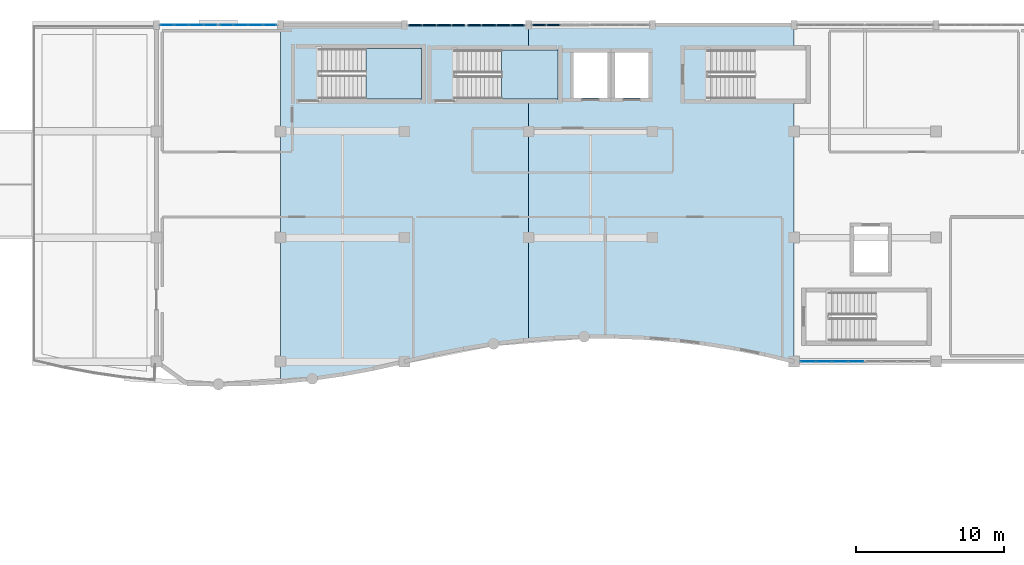
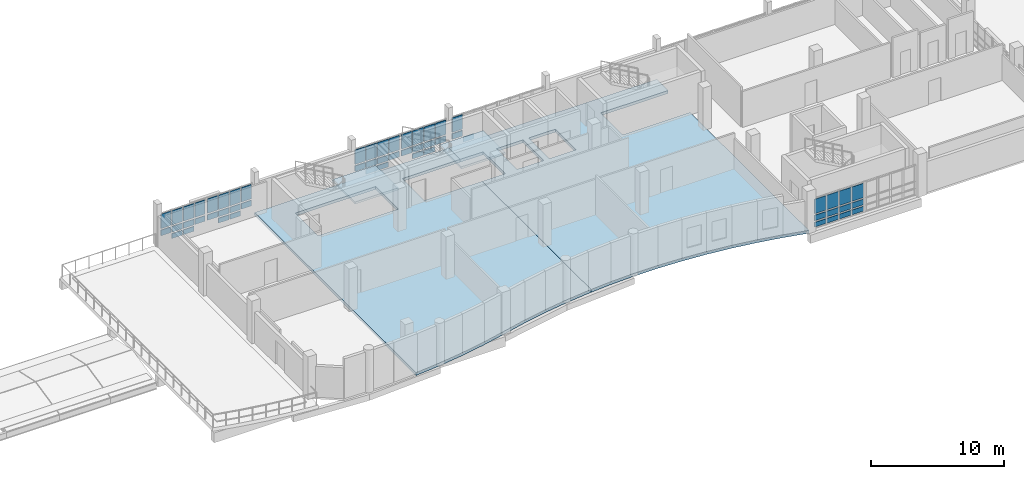
# One storey, part 164 of 188: 55 plates, 4 slabs, 8 elements without a shape of their own.
"""IFC4 building model written with IfcOpenShell, lengths in metres."""

from ifc_helpers import new_model, si_unit, direction, frame, origin, origin_2d, place, context, subcontext, project, spatial, polyline, rectangle, outline, extrude, material, layer, layer_set, type_object, element, aggregate, save


model = new_model("IFC4")

# Units and contexts
model_context = context("Model", 3, precision=1e-05, world=origin(), true_north=direction((0.0, 1.0)))
body_context = subcontext(model_context, "Body", "Model", "MODEL_VIEW")
ifc_project = project(units=[si_unit("LENGTHUNIT", "METRE"), si_unit("AREAUNIT", "SQUARE_METRE"), si_unit("VOLUMEUNIT", "CUBIC_METRE"), si_unit("PLANEANGLEUNIT", "RADIAN"), si_unit("MASSUNIT", "GRAM", prefix="KILO")], contexts=[model_context])

# Site, building, storey
site_placement = place(None, origin())
site = spatial("IfcSite", under=ifc_project, at=site_placement, CompositionType="ELEMENT")
building_placement = place(site_placement, origin())
building = spatial("IfcBuilding", under=site, at=building_placement, Name="Kisaragi Civic Commons", CompositionType="ELEMENT")
storey_placement = place(building_placement, frame((0.0, 0.0, 9.60009765625)))
storey = spatial("IfcBuildingStorey", under=building, at=storey_placement, Name="L02", CompositionType="ELEMENT", Elevation=9.60009765625)

# Curtain wall, plates
ifc_material_1 = material(Name="Thermally broken anodized aluminium and low-E double glazing", Category="aluminium")
ifc_layer_1 = layer(ifc_material_1, 0.179931640625, Name="Thermally broken anodized aluminium and low-E double glazing", Category="aluminium")
ifc_layer_set_1 = layer_set([ifc_layer_1], Name="Thermally broken anodized aluminium and low-E double glazing")
curtain_wall_type = type_object("IfcCurtainWallType", Name="CW-01", PredefinedType="NOTDEFINED", material=ifc_layer_set_1)
curtain_wall_1_placement = place(storey_placement, origin())
curtain_wall_1 = element("IfcCurtainWall", 1, at=curtain_wall_1_placement, inside=storey, type_object=curtain_wall_type, Name="L02 curtain wall CW-01 CW-V4-L02-079", PredefinedType="NOTDEFINED")
ifc_layer_2 = layer(ifc_material_1, 0.055908203125, Name="Thermally broken anodized aluminium and low-E double glazing", Category="aluminium")
ifc_layer_set_2 = layer_set([ifc_layer_2], Name="Thermally broken anodized aluminium and low-E double glazing")
plate_type_1 = type_object("IfcPlateType", Name="CWP-06", PredefinedType="CURTAIN_PANEL", material=ifc_layer_set_2)
plate_1_placement = place(storey_placement, frame((81.124267578125, 118.800048828125, 0.7197265625), z_axis=(0.0, 0.0, 1.0), x_axis=(1.0, 0.0, 0.0)))
plate_1 = element("IfcPlate", 2, at=plate_1_placement, type_object=plate_type_1, Name="CW-01 panel 1.2", PredefinedType="CURTAIN_PANEL", context=body_context, shape_type="SweptSolid", body=[
    extrude(rectangle(XDim=0.888671875, YDim=0.055908203125, at=origin_2d()), origin(), (0.0, 0.0, 1.0), 0.510009765625),
])
plate_2_placement = place(storey_placement, frame((81.124267578125, 118.800048828125, 1.36962890625), z_axis=(0.0, 0.0, 1.0), x_axis=(1.0, 0.0, 0.0)))
plate_2 = element("IfcPlate", 3, at=plate_2_placement, type_object=plate_type_1, Name="CW-01 panel 1.3", PredefinedType="CURTAIN_PANEL", context=body_context, shape_type="SweptSolid", body=[
    extrude(rectangle(XDim=0.888671875, YDim=0.055908203125, at=origin_2d()), origin(), (0.0, 0.0, 1.0), 1.320068359375),
])
plate_3_placement = place(storey_placement, frame((82.094482421875, 118.800048828125, 0.139892578125), z_axis=(0.0, 0.0, 1.0), x_axis=(1.0, 0.0, 0.0)))
plate_3 = element("IfcPlate", 4, at=plate_3_placement, type_object=plate_type_1, Name="CW-01 panel 2.1", PredefinedType="CURTAIN_PANEL", context=body_context, shape_type="SweptSolid", body=[
    extrude(rectangle(XDim=0.921142578125, YDim=0.055908203125, at=origin_2d()), origin(), (0.0, 0.0, 1.0), 0.43994140625),
])
plate_4_placement = place(storey_placement, frame((82.094482421875, 118.800048828125, 0.7197265625), z_axis=(0.0, 0.0, 1.0), x_axis=(1.0, 0.0, 0.0)))
plate_4 = element("IfcPlate", 5, at=plate_4_placement, type_object=plate_type_1, Name="CW-01 panel 2.2", PredefinedType="CURTAIN_PANEL", context=body_context, shape_type="SweptSolid", body=[
    extrude(rectangle(XDim=0.921142578125, YDim=0.055908203125, at=origin_2d()), origin(), (0.0, 0.0, 1.0), 0.510009765625),
])
plate_5_placement = place(storey_placement, frame((82.094482421875, 118.800048828125, 1.36962890625), z_axis=(0.0, 0.0, 1.0), x_axis=(1.0, 0.0, 0.0)))
plate_5 = element("IfcPlate", 6, at=plate_5_placement, type_object=plate_type_1, Name="CW-01 panel 2.3", PredefinedType="CURTAIN_PANEL", context=body_context, shape_type="SweptSolid", body=[
    extrude(rectangle(XDim=0.921142578125, YDim=0.055908203125, at=origin_2d()), origin(), (0.0, 0.0, 1.0), 1.320068359375),
])
plate_6_placement = place(storey_placement, frame((83.08056640625, 118.800048828125, 0.139892578125), z_axis=(0.0, 0.0, 1.0), x_axis=(1.0, 0.0, 0.0)))
plate_6 = element("IfcPlate", 7, at=plate_6_placement, type_object=plate_type_1, Name="CW-01 panel 3.1", PredefinedType="CURTAIN_PANEL", context=body_context, shape_type="SweptSolid", body=[
    extrude(rectangle(XDim=0.921142578125, YDim=0.055908203125, at=origin_2d()), origin(), (0.0, 0.0, 1.0), 0.43994140625),
])
plate_7_placement = place(storey_placement, frame((83.08056640625, 118.800048828125, 0.7197265625), z_axis=(0.0, 0.0, 1.0), x_axis=(1.0, 0.0, 0.0)))
plate_7 = element("IfcPlate", 8, at=plate_7_placement, type_object=plate_type_1, Name="CW-01 panel 3.2", PredefinedType="CURTAIN_PANEL", context=body_context, shape_type="SweptSolid", body=[
    extrude(rectangle(XDim=0.921142578125, YDim=0.055908203125, at=origin_2d()), origin(), (0.0, 0.0, 1.0), 0.510009765625),
])
plate_8_placement = place(storey_placement, frame((83.08056640625, 118.800048828125, 1.36962890625), z_axis=(0.0, 0.0, 1.0), x_axis=(1.0, 0.0, 0.0)))
plate_8 = element("IfcPlate", 9, at=plate_8_placement, type_object=plate_type_1, Name="CW-01 panel 3.3", PredefinedType="CURTAIN_PANEL", context=body_context, shape_type="SweptSolid", body=[
    extrude(rectangle(XDim=0.921142578125, YDim=0.055908203125, at=origin_2d()), origin(), (0.0, 0.0, 1.0), 1.320068359375),
])
plate_9_placement = place(storey_placement, frame((84.050537109375, 118.800048828125, 0.7197265625), z_axis=(0.0, 0.0, 1.0), x_axis=(1.0, 0.0, 0.0)))
plate_9 = element("IfcPlate", 10, at=plate_9_placement, type_object=plate_type_1, Name="CW-01 panel 4.2", PredefinedType="CURTAIN_PANEL", context=body_context, shape_type="SweptSolid", body=[
    extrude(rectangle(XDim=0.888671875, YDim=0.055908203125, at=origin_2d()), origin(), (0.0, 0.0, 1.0), 0.510009765625),
])
plate_10_placement = place(storey_placement, frame((84.050537109375, 118.800048828125, 1.36962890625), z_axis=(0.0, 0.0, 1.0), x_axis=(1.0, 0.0, 0.0)))
plate_10 = element("IfcPlate", 11, at=plate_10_placement, type_object=plate_type_1, Name="CW-01 panel 4.3", PredefinedType="CURTAIN_PANEL", context=body_context, shape_type="SweptSolid", body=[
    extrude(rectangle(XDim=0.888671875, YDim=0.055908203125, at=origin_2d()), origin(), (0.0, 0.0, 1.0), 1.320068359375),
])
aggregate(curtain_wall_1, [plate_1, plate_2, plate_3, plate_4, plate_5, plate_6, plate_7, plate_8, plate_9, plate_10])

curtain_wall_2_placement = place(storey_placement, origin())
curtain_wall_2 = element("IfcCurtainWall", 12, at=curtain_wall_2_placement, inside=storey, type_object=curtain_wall_type, Name="L02 curtain wall CW-01 CW-V4-L02-094", PredefinedType="NOTDEFINED")
plate_11_placement = place(storey_placement, frame((127.797607421875, 96.0, 0.139892578125), z_axis=(0.0, 0.0, 1.0), x_axis=(-1.0, 0.0, 0.0)))
plate_11 = element("IfcPlate", 13, at=plate_11_placement, type_object=plate_type_1, Name="CW-01 panel 1.1", PredefinedType="CURTAIN_PANEL", context=body_context, shape_type="SweptSolid", body=[
    extrude(rectangle(XDim=0.9951171875, YDim=0.055908203125, at=origin_2d()), origin(), (0.0, 0.0, 1.0), 0.43994140625),
])
plate_12_placement = place(storey_placement, frame((127.797607421875, 96.0, 0.7197265625), z_axis=(0.0, 0.0, 1.0), x_axis=(-1.0, 0.0, 0.0)))
plate_12 = element("IfcPlate", 14, at=plate_12_placement, type_object=plate_type_1, Name="CW-01 panel 1.2", PredefinedType="CURTAIN_PANEL", context=body_context, shape_type="SweptSolid", body=[
    extrude(rectangle(XDim=0.9951171875, YDim=0.055908203125, at=origin_2d()), origin(), (0.0, 0.0, 1.0), 0.510009765625),
])
plate_13_placement = place(storey_placement, frame((127.797607421875, 96.0, 1.36962890625), z_axis=(0.0, 0.0, 1.0), x_axis=(-1.0, 0.0, 0.0)))
plate_13 = element("IfcPlate", 15, at=plate_13_placement, type_object=plate_type_1, Name="CW-01 panel 1.3", PredefinedType="CURTAIN_PANEL", context=body_context, shape_type="SweptSolid", body=[
    extrude(rectangle(XDim=0.9951171875, YDim=0.055908203125, at=origin_2d()), origin(), (0.0, 0.0, 1.0), 1.320068359375),
])
plate_14_placement = place(storey_placement, frame((126.72119140625, 96.0, 0.139892578125), z_axis=(0.0, 0.0, 1.0), x_axis=(-1.0, 0.0, 0.0)))
plate_14 = element("IfcPlate", 16, at=plate_14_placement, type_object=plate_type_1, Name="CW-01 panel 2.1", PredefinedType="CURTAIN_PANEL", context=body_context, shape_type="SweptSolid", body=[
    extrude(rectangle(XDim=1.027587890625, YDim=0.055908203125, at=origin_2d()), origin(), (0.0, 0.0, 1.0), 0.43994140625),
])
plate_15_placement = place(storey_placement, frame((126.72119140625, 96.0, 0.7197265625), z_axis=(0.0, 0.0, 1.0), x_axis=(-1.0, 0.0, 0.0)))
plate_15 = element("IfcPlate", 17, at=plate_15_placement, type_object=plate_type_1, Name="CW-01 panel 2.2", PredefinedType="CURTAIN_PANEL", context=body_context, shape_type="SweptSolid", body=[
    extrude(rectangle(XDim=1.027587890625, YDim=0.055908203125, at=origin_2d()), origin(), (0.0, 0.0, 1.0), 0.510009765625),
])
plate_16_placement = place(storey_placement, frame((126.72119140625, 96.0, 1.36962890625), z_axis=(0.0, 0.0, 1.0), x_axis=(-1.0, 0.0, 0.0)))
plate_16 = element("IfcPlate", 18, at=plate_16_placement, type_object=plate_type_1, Name="CW-01 panel 2.3", PredefinedType="CURTAIN_PANEL", context=body_context, shape_type="SweptSolid", body=[
    extrude(rectangle(XDim=1.027587890625, YDim=0.055908203125, at=origin_2d()), origin(), (0.0, 0.0, 1.0), 1.320068359375),
])
plate_17_placement = place(storey_placement, frame((125.628662109375, 96.0, 0.139892578125), z_axis=(0.0, 0.0, 1.0), x_axis=(-1.0, 0.0, 0.0)))
plate_17 = element("IfcPlate", 19, at=plate_17_placement, type_object=plate_type_1, Name="CW-01 panel 3.1", PredefinedType="CURTAIN_PANEL", context=body_context, shape_type="SweptSolid", body=[
    extrude(rectangle(XDim=1.027587890625, YDim=0.055908203125, at=origin_2d()), origin(), (0.0, 0.0, 1.0), 0.43994140625),
])
plate_18_placement = place(storey_placement, frame((125.628662109375, 96.0, 0.7197265625), z_axis=(0.0, 0.0, 1.0), x_axis=(-1.0, 0.0, 0.0)))
plate_18 = element("IfcPlate", 20, at=plate_18_placement, type_object=plate_type_1, Name="CW-01 panel 3.2", PredefinedType="CURTAIN_PANEL", context=body_context, shape_type="SweptSolid", body=[
    extrude(rectangle(XDim=1.027587890625, YDim=0.055908203125, at=origin_2d()), origin(), (0.0, 0.0, 1.0), 0.510009765625),
])
plate_19_placement = place(storey_placement, frame((125.628662109375, 96.0, 1.36962890625), z_axis=(0.0, 0.0, 1.0), x_axis=(-1.0, 0.0, 0.0)))
plate_19 = element("IfcPlate", 21, at=plate_19_placement, type_object=plate_type_1, Name="CW-01 panel 3.3", PredefinedType="CURTAIN_PANEL", context=body_context, shape_type="SweptSolid", body=[
    extrude(rectangle(XDim=1.027587890625, YDim=0.055908203125, at=origin_2d()), origin(), (0.0, 0.0, 1.0), 1.320068359375),
])
plate_20_placement = place(storey_placement, frame((124.552490234375, 96.0, 0.139892578125), z_axis=(0.0, 0.0, 1.0), x_axis=(-1.0, 0.0, 0.0)))
plate_20 = element("IfcPlate", 22, at=plate_20_placement, type_object=plate_type_1, Name="CW-01 panel 4.1", PredefinedType="CURTAIN_PANEL", context=body_context, shape_type="SweptSolid", body=[
    extrude(rectangle(XDim=0.9951171875, YDim=0.055908203125, at=origin_2d()), origin(), (0.0, 0.0, 1.0), 0.43994140625),
])
plate_21_placement = place(storey_placement, frame((124.552490234375, 96.0, 0.7197265625), z_axis=(0.0, 0.0, 1.0), x_axis=(-1.0, 0.0, 0.0)))
plate_21 = element("IfcPlate", 23, at=plate_21_placement, type_object=plate_type_1, Name="CW-01 panel 4.2", PredefinedType="CURTAIN_PANEL", context=body_context, shape_type="SweptSolid", body=[
    extrude(rectangle(XDim=0.9951171875, YDim=0.055908203125, at=origin_2d()), origin(), (0.0, 0.0, 1.0), 0.510009765625),
])
plate_22_placement = place(storey_placement, frame((124.552490234375, 96.0, 1.36962890625), z_axis=(0.0, 0.0, 1.0), x_axis=(-1.0, 0.0, 0.0)))
plate_22 = element("IfcPlate", 24, at=plate_22_placement, type_object=plate_type_1, Name="CW-01 panel 4.3", PredefinedType="CURTAIN_PANEL", context=body_context, shape_type="SweptSolid", body=[
    extrude(rectangle(XDim=0.9951171875, YDim=0.055908203125, at=origin_2d()), origin(), (0.0, 0.0, 1.0), 1.320068359375),
])
aggregate(curtain_wall_2, [plate_11, plate_12, plate_13, plate_14, plate_15, plate_16, plate_17, plate_18, plate_19, plate_20, plate_21, plate_22])

curtain_wall_3_placement = place(storey_placement, origin())
curtain_wall_3 = element("IfcCurtainWall", 25, at=curtain_wall_3_placement, inside=storey, type_object=curtain_wall_type, Name="L02 curtain wall CW-01 CW-V4-L02-080", PredefinedType="NOTDEFINED")
ifc_layer_3 = layer(ifc_material_1, 0.06005859375, Name="Thermally broken anodized aluminium and low-E double glazing", Category="aluminium")
ifc_layer_set_3 = layer_set([ifc_layer_3], Name="Thermally broken anodized aluminium and low-E double glazing")
plate_type_2 = type_object("IfcPlateType", Name="CWP-07", PredefinedType="CURTAIN_PANEL", material=ifc_layer_set_3)
plate_23_placement = place(storey_placement, frame((85.1494140625, 118.800048828125, 0.7197265625), z_axis=(0.0, 0.0, 1.0), x_axis=(1.0, 0.0, 0.0)))
plate_23 = element("IfcPlate", 26, at=plate_23_placement, type_object=plate_type_2, Name="CW-01 panel 1.2", PredefinedType="CURTAIN_PANEL", context=body_context, shape_type="SweptSolid", body=[
    extrude(rectangle(XDim=0.888671875, YDim=0.06005859375, at=origin_2d()), origin(), (0.0, 0.0, 1.0), 0.510009765625),
])
plate_24_placement = place(storey_placement, frame((85.1494140625, 118.800048828125, 1.36962890625), z_axis=(0.0, 0.0, 1.0), x_axis=(1.0, 0.0, 0.0)))
plate_24 = element("IfcPlate", 27, at=plate_24_placement, type_object=plate_type_2, Name="CW-01 panel 1.3", PredefinedType="CURTAIN_PANEL", context=body_context, shape_type="SweptSolid", body=[
    extrude(rectangle(XDim=0.888671875, YDim=0.06005859375, at=origin_2d()), origin(), (0.0, 0.0, 1.0), 1.320068359375),
])
plate_25_placement = place(storey_placement, frame((86.119384765625, 118.800048828125, 0.139892578125), z_axis=(0.0, 0.0, 1.0), x_axis=(1.0, 0.0, 0.0)))
plate_25 = element("IfcPlate", 28, at=plate_25_placement, type_object=plate_type_2, Name="CW-01 panel 2.1", PredefinedType="CURTAIN_PANEL", context=body_context, shape_type="SweptSolid", body=[
    extrude(rectangle(XDim=0.921142578125, YDim=0.06005859375, at=origin_2d()), origin(), (0.0, 0.0, 1.0), 0.43994140625),
])
plate_26_placement = place(storey_placement, frame((86.119384765625, 118.800048828125, 0.7197265625), z_axis=(0.0, 0.0, 1.0), x_axis=(1.0, 0.0, 0.0)))
plate_26 = element("IfcPlate", 29, at=plate_26_placement, type_object=plate_type_2, Name="CW-01 panel 2.2", PredefinedType="CURTAIN_PANEL", context=body_context, shape_type="SweptSolid", body=[
    extrude(rectangle(XDim=0.921142578125, YDim=0.06005859375, at=origin_2d()), origin(), (0.0, 0.0, 1.0), 0.510009765625),
])
plate_27_placement = place(storey_placement, frame((86.119384765625, 118.800048828125, 1.36962890625), z_axis=(0.0, 0.0, 1.0), x_axis=(1.0, 0.0, 0.0)))
plate_27 = element("IfcPlate", 30, at=plate_27_placement, type_object=plate_type_2, Name="CW-01 panel 2.3", PredefinedType="CURTAIN_PANEL", context=body_context, shape_type="SweptSolid", body=[
    extrude(rectangle(XDim=0.921142578125, YDim=0.06005859375, at=origin_2d()), origin(), (0.0, 0.0, 1.0), 1.320068359375),
])
plate_28_placement = place(storey_placement, frame((87.105712890625, 118.800048828125, 0.139892578125), z_axis=(0.0, 0.0, 1.0), x_axis=(1.0, 0.0, 0.0)))
plate_28 = element("IfcPlate", 31, at=plate_28_placement, type_object=plate_type_2, Name="CW-01 panel 3.1", PredefinedType="CURTAIN_PANEL", context=body_context, shape_type="SweptSolid", body=[
    extrude(rectangle(XDim=0.921142578125, YDim=0.06005859375, at=origin_2d()), origin(), (0.0, 0.0, 1.0), 0.43994140625),
])
plate_29_placement = place(storey_placement, frame((87.105712890625, 118.800048828125, 0.7197265625), z_axis=(0.0, 0.0, 1.0), x_axis=(1.0, 0.0, 0.0)))
plate_29 = element("IfcPlate", 32, at=plate_29_placement, type_object=plate_type_2, Name="CW-01 panel 3.2", PredefinedType="CURTAIN_PANEL", context=body_context, shape_type="SweptSolid", body=[
    extrude(rectangle(XDim=0.921142578125, YDim=0.06005859375, at=origin_2d()), origin(), (0.0, 0.0, 1.0), 0.510009765625),
])
plate_30_placement = place(storey_placement, frame((87.105712890625, 118.800048828125, 1.36962890625), z_axis=(0.0, 0.0, 1.0), x_axis=(1.0, 0.0, 0.0)))
plate_30 = element("IfcPlate", 33, at=plate_30_placement, type_object=plate_type_2, Name="CW-01 panel 3.3", PredefinedType="CURTAIN_PANEL", context=body_context, shape_type="SweptSolid", body=[
    extrude(rectangle(XDim=0.921142578125, YDim=0.06005859375, at=origin_2d()), origin(), (0.0, 0.0, 1.0), 1.320068359375),
])
plate_31_placement = place(storey_placement, frame((88.07568359375, 118.800048828125, 0.7197265625), z_axis=(0.0, 0.0, 1.0), x_axis=(1.0, 0.0, 0.0)))
plate_31 = element("IfcPlate", 34, at=plate_31_placement, type_object=plate_type_2, Name="CW-01 panel 4.2", PredefinedType="CURTAIN_PANEL", context=body_context, shape_type="SweptSolid", body=[
    extrude(rectangle(XDim=0.888671875, YDim=0.06005859375, at=origin_2d()), origin(), (0.0, 0.0, 1.0), 0.510009765625),
])
plate_32_placement = place(storey_placement, frame((88.07568359375, 118.800048828125, 1.36962890625), z_axis=(0.0, 0.0, 1.0), x_axis=(1.0, 0.0, 0.0)))
plate_32 = element("IfcPlate", 35, at=plate_32_placement, type_object=plate_type_2, Name="CW-01 panel 4.3", PredefinedType="CURTAIN_PANEL", context=body_context, shape_type="SweptSolid", body=[
    extrude(rectangle(XDim=0.888671875, YDim=0.06005859375, at=origin_2d()), origin(), (0.0, 0.0, 1.0), 1.320068359375),
])
aggregate(curtain_wall_3, [plate_23, plate_24, plate_25, plate_26, plate_27, plate_28, plate_29, plate_30, plate_31, plate_32])

curtain_wall_4_placement = place(storey_placement, origin())
curtain_wall_4 = element("IfcCurtainWall", 36, at=curtain_wall_4_placement, inside=storey, type_object=curtain_wall_type, Name="L02 curtain wall CW-01 CW-V4-L02-081", PredefinedType="NOTDEFINED")
ifc_layer_4 = layer(ifc_material_1, 0.073974609375, Name="Thermally broken anodized aluminium and low-E double glazing", Category="aluminium")
ifc_layer_set_4 = layer_set([ifc_layer_4], Name="Thermally broken anodized aluminium and low-E double glazing")
plate_type_3 = type_object("IfcPlateType", Name="CWP-09", PredefinedType="CURTAIN_PANEL", material=ifc_layer_set_4)
plate_33_placement = place(storey_placement, frame((97.92431640625, 118.800048828125, 0.7197265625), z_axis=(0.0, 0.0, 1.0), x_axis=(1.0, 0.0, 0.0)))
plate_33 = element("IfcPlate", 37, at=plate_33_placement, type_object=plate_type_3, Name="CW-01 panel 1.2", PredefinedType="CURTAIN_PANEL", context=body_context, shape_type="SweptSolid", body=[
    extrude(rectangle(XDim=0.888671875, YDim=0.073974609375, at=origin_2d()), origin(), (0.0, 0.0, 1.0), 0.510009765625),
])
plate_34_placement = place(storey_placement, frame((97.92431640625, 118.800048828125, 1.36962890625), z_axis=(0.0, 0.0, 1.0), x_axis=(1.0, 0.0, 0.0)))
plate_34 = element("IfcPlate", 38, at=plate_34_placement, type_object=plate_type_3, Name="CW-01 panel 1.3", PredefinedType="CURTAIN_PANEL", context=body_context, shape_type="SweptSolid", body=[
    extrude(rectangle(XDim=0.888671875, YDim=0.073974609375, at=origin_2d()), origin(), (0.0, 0.0, 1.0), 1.320068359375),
])
plate_35_placement = place(storey_placement, frame((98.894287109375, 118.800048828125, 0.139892578125), z_axis=(0.0, 0.0, 1.0), x_axis=(1.0, 0.0, 0.0)))
plate_35 = element("IfcPlate", 39, at=plate_35_placement, type_object=plate_type_3, Name="CW-01 panel 2.1", PredefinedType="CURTAIN_PANEL", context=body_context, shape_type="SweptSolid", body=[
    extrude(rectangle(XDim=0.921142578125, YDim=0.073974609375, at=origin_2d()), origin(), (0.0, 0.0, 1.0), 0.43994140625),
])
plate_36_placement = place(storey_placement, frame((98.894287109375, 118.800048828125, 0.7197265625), z_axis=(0.0, 0.0, 1.0), x_axis=(1.0, 0.0, 0.0)))
plate_36 = element("IfcPlate", 40, at=plate_36_placement, type_object=plate_type_3, Name="CW-01 panel 2.2", PredefinedType="CURTAIN_PANEL", context=body_context, shape_type="SweptSolid", body=[
    extrude(rectangle(XDim=0.921142578125, YDim=0.073974609375, at=origin_2d()), origin(), (0.0, 0.0, 1.0), 0.510009765625),
])
plate_37_placement = place(storey_placement, frame((98.894287109375, 118.800048828125, 1.36962890625), z_axis=(0.0, 0.0, 1.0), x_axis=(1.0, 0.0, 0.0)))
plate_37 = element("IfcPlate", 41, at=plate_37_placement, type_object=plate_type_3, Name="CW-01 panel 2.3", PredefinedType="CURTAIN_PANEL", context=body_context, shape_type="SweptSolid", body=[
    extrude(rectangle(XDim=0.921142578125, YDim=0.073974609375, at=origin_2d()), origin(), (0.0, 0.0, 1.0), 1.320068359375),
])
plate_38_placement = place(storey_placement, frame((99.880615234375, 118.800048828125, 0.139892578125), z_axis=(0.0, 0.0, 1.0), x_axis=(1.0, 0.0, 0.0)))
plate_38 = element("IfcPlate", 42, at=plate_38_placement, type_object=plate_type_3, Name="CW-01 panel 3.1", PredefinedType="CURTAIN_PANEL", context=body_context, shape_type="SweptSolid", body=[
    extrude(rectangle(XDim=0.921142578125, YDim=0.073974609375, at=origin_2d()), origin(), (0.0, 0.0, 1.0), 0.43994140625),
])
plate_39_placement = place(storey_placement, frame((99.880615234375, 118.800048828125, 0.7197265625), z_axis=(0.0, 0.0, 1.0), x_axis=(1.0, 0.0, 0.0)))
plate_39 = element("IfcPlate", 43, at=plate_39_placement, type_object=plate_type_3, Name="CW-01 panel 3.2", PredefinedType="CURTAIN_PANEL", context=body_context, shape_type="SweptSolid", body=[
    extrude(rectangle(XDim=0.921142578125, YDim=0.073974609375, at=origin_2d()), origin(), (0.0, 0.0, 1.0), 0.510009765625),
])
plate_40_placement = place(storey_placement, frame((99.880615234375, 118.800048828125, 1.36962890625), z_axis=(0.0, 0.0, 1.0), x_axis=(1.0, 0.0, 0.0)))
plate_40 = element("IfcPlate", 44, at=plate_40_placement, type_object=plate_type_3, Name="CW-01 panel 3.3", PredefinedType="CURTAIN_PANEL", context=body_context, shape_type="SweptSolid", body=[
    extrude(rectangle(XDim=0.921142578125, YDim=0.073974609375, at=origin_2d()), origin(), (0.0, 0.0, 1.0), 1.320068359375),
])
plate_41_placement = place(storey_placement, frame((100.8505859375, 118.800048828125, 0.7197265625), z_axis=(0.0, 0.0, 1.0), x_axis=(1.0, 0.0, 0.0)))
plate_41 = element("IfcPlate", 45, at=plate_41_placement, type_object=plate_type_3, Name="CW-01 panel 4.2", PredefinedType="CURTAIN_PANEL", context=body_context, shape_type="SweptSolid", body=[
    extrude(rectangle(XDim=0.888671875, YDim=0.073974609375, at=origin_2d()), origin(), (0.0, 0.0, 1.0), 0.510009765625),
])
plate_42_placement = place(storey_placement, frame((100.8505859375, 118.800048828125, 1.36962890625), z_axis=(0.0, 0.0, 1.0), x_axis=(1.0, 0.0, 0.0)))
plate_42 = element("IfcPlate", 46, at=plate_42_placement, type_object=plate_type_3, Name="CW-01 panel 4.3", PredefinedType="CURTAIN_PANEL", context=body_context, shape_type="SweptSolid", body=[
    extrude(rectangle(XDim=0.888671875, YDim=0.073974609375, at=origin_2d()), origin(), (0.0, 0.0, 1.0), 1.320068359375),
])
aggregate(curtain_wall_4, [plate_33, plate_34, plate_35, plate_36, plate_37, plate_38, plate_39, plate_40, plate_41, plate_42])

curtain_wall_5_placement = place(storey_placement, origin())
curtain_wall_5 = element("IfcCurtainWall", 47, at=curtain_wall_5_placement, inside=storey, type_object=curtain_wall_type, Name="L02 curtain wall CW-01 CW-V4-L02-082", PredefinedType="NOTDEFINED")
ifc_layer_5 = layer(ifc_material_1, 0.080078125, Name="Thermally broken anodized aluminium and low-E double glazing", Category="aluminium")
ifc_layer_set_5 = layer_set([ifc_layer_5], Name="Thermally broken anodized aluminium and low-E double glazing")
plate_type_4 = type_object("IfcPlateType", Name="CWP-10", PredefinedType="CURTAIN_PANEL", material=ifc_layer_set_5)
plate_43_placement = place(storey_placement, frame((101.949462890625, 118.800048828125, 0.7197265625), z_axis=(0.0, 0.0, 1.0), x_axis=(1.0, 0.0, 0.0)))
plate_43 = element("IfcPlate", 48, at=plate_43_placement, type_object=plate_type_4, Name="CW-01 panel 1.2", PredefinedType="CURTAIN_PANEL", context=body_context, shape_type="SweptSolid", body=[
    extrude(rectangle(XDim=0.888671875, YDim=0.080078125, at=origin_2d()), origin(), (0.0, 0.0, 1.0), 0.510009765625),
])
plate_44_placement = place(storey_placement, frame((101.949462890625, 118.800048828125, 1.36962890625), z_axis=(0.0, 0.0, 1.0), x_axis=(1.0, 0.0, 0.0)))
plate_44 = element("IfcPlate", 49, at=plate_44_placement, type_object=plate_type_4, Name="CW-01 panel 1.3", PredefinedType="CURTAIN_PANEL", context=body_context, shape_type="SweptSolid", body=[
    extrude(rectangle(XDim=0.888671875, YDim=0.080078125, at=origin_2d()), origin(), (0.0, 0.0, 1.0), 1.320068359375),
])
plate_45_placement = place(storey_placement, frame((102.91943359375, 118.800048828125, 0.139892578125), z_axis=(0.0, 0.0, 1.0), x_axis=(1.0, 0.0, 0.0)))
plate_45 = element("IfcPlate", 50, at=plate_45_placement, type_object=plate_type_4, Name="CW-01 panel 2.1", PredefinedType="CURTAIN_PANEL", context=body_context, shape_type="SweptSolid", body=[
    extrude(rectangle(XDim=0.921142578125, YDim=0.080078125, at=origin_2d()), origin(), (0.0, 0.0, 1.0), 0.43994140625),
])
plate_46_placement = place(storey_placement, frame((102.91943359375, 118.800048828125, 0.7197265625), z_axis=(0.0, 0.0, 1.0), x_axis=(1.0, 0.0, 0.0)))
plate_46 = element("IfcPlate", 51, at=plate_46_placement, type_object=plate_type_4, Name="CW-01 panel 2.2", PredefinedType="CURTAIN_PANEL", context=body_context, shape_type="SweptSolid", body=[
    extrude(rectangle(XDim=0.921142578125, YDim=0.080078125, at=origin_2d()), origin(), (0.0, 0.0, 1.0), 0.510009765625),
])
plate_47_placement = place(storey_placement, frame((102.91943359375, 118.800048828125, 1.36962890625), z_axis=(0.0, 0.0, 1.0), x_axis=(1.0, 0.0, 0.0)))
plate_47 = element("IfcPlate", 52, at=plate_47_placement, type_object=plate_type_4, Name="CW-01 panel 2.3", PredefinedType="CURTAIN_PANEL", context=body_context, shape_type="SweptSolid", body=[
    extrude(rectangle(XDim=0.921142578125, YDim=0.080078125, at=origin_2d()), origin(), (0.0, 0.0, 1.0), 1.320068359375),
])
plate_48_placement = place(storey_placement, frame((103.905517578125, 118.800048828125, 0.139892578125), z_axis=(0.0, 0.0, 1.0), x_axis=(1.0, 0.0, 0.0)))
plate_48 = element("IfcPlate", 53, at=plate_48_placement, type_object=plate_type_4, Name="CW-01 panel 3.1", PredefinedType="CURTAIN_PANEL", context=body_context, shape_type="SweptSolid", body=[
    extrude(rectangle(XDim=0.921142578125, YDim=0.080078125, at=origin_2d()), origin(), (0.0, 0.0, 1.0), 0.43994140625),
])
plate_49_placement = place(storey_placement, frame((103.905517578125, 118.800048828125, 0.7197265625), z_axis=(0.0, 0.0, 1.0), x_axis=(1.0, 0.0, 0.0)))
plate_49 = element("IfcPlate", 54, at=plate_49_placement, type_object=plate_type_4, Name="CW-01 panel 3.2", PredefinedType="CURTAIN_PANEL", context=body_context, shape_type="SweptSolid", body=[
    extrude(rectangle(XDim=0.921142578125, YDim=0.080078125, at=origin_2d()), origin(), (0.0, 0.0, 1.0), 0.510009765625),
])
plate_50_placement = place(storey_placement, frame((103.905517578125, 118.800048828125, 1.36962890625), z_axis=(0.0, 0.0, 1.0), x_axis=(1.0, 0.0, 0.0)))
plate_50 = element("IfcPlate", 55, at=plate_50_placement, type_object=plate_type_4, Name="CW-01 panel 3.3", PredefinedType="CURTAIN_PANEL", context=body_context, shape_type="SweptSolid", body=[
    extrude(rectangle(XDim=0.921142578125, YDim=0.080078125, at=origin_2d()), origin(), (0.0, 0.0, 1.0), 1.320068359375),
])
plate_51_placement = place(storey_placement, frame((104.875732421875, 118.800048828125, 0.7197265625), z_axis=(0.0, 0.0, 1.0), x_axis=(1.0, 0.0, 0.0)))
plate_51 = element("IfcPlate", 56, at=plate_51_placement, type_object=plate_type_4, Name="CW-01 panel 4.2", PredefinedType="CURTAIN_PANEL", context=body_context, shape_type="SweptSolid", body=[
    extrude(rectangle(XDim=0.888671875, YDim=0.080078125, at=origin_2d()), origin(), (0.0, 0.0, 1.0), 0.510009765625),
])
plate_52_placement = place(storey_placement, frame((104.875732421875, 118.800048828125, 1.36962890625), z_axis=(0.0, 0.0, 1.0), x_axis=(1.0, 0.0, 0.0)))
plate_52 = element("IfcPlate", 57, at=plate_52_placement, type_object=plate_type_4, Name="CW-01 panel 4.3", PredefinedType="CURTAIN_PANEL", context=body_context, shape_type="SweptSolid", body=[
    extrude(rectangle(XDim=0.888671875, YDim=0.080078125, at=origin_2d()), origin(), (0.0, 0.0, 1.0), 1.320068359375),
])
aggregate(curtain_wall_5, [plate_43, plate_44, plate_45, plate_46, plate_47, plate_48, plate_49, plate_50, plate_51, plate_52])

curtain_wall_6_placement = place(storey_placement, origin())
curtain_wall_6 = element("IfcCurtainWall", 58, at=curtain_wall_6_placement, inside=storey, type_object=curtain_wall_type, Name="L02 curtain wall CW-01 CW-V4-L02-083", PredefinedType="NOTDEFINED")
ifc_layer_6 = layer(ifc_material_1, 0.0859375, Name="Thermally broken anodized aluminium and low-E double glazing", Category="aluminium")
ifc_layer_set_6 = layer_set([ifc_layer_6], Name="Thermally broken anodized aluminium and low-E double glazing")
plate_type_5 = type_object("IfcPlateType", Name="CWP-12", PredefinedType="CURTAIN_PANEL", material=ifc_layer_set_6)
plate_53_placement = place(storey_placement, frame((106.324462890625, 118.800048828125, 0.7197265625), z_axis=(0.0, 0.0, 1.0), x_axis=(1.0, 0.0, 0.0)))
plate_53 = element("IfcPlate", 59, at=plate_53_placement, type_object=plate_type_5, Name="CW-01 panel 1.2", PredefinedType="CURTAIN_PANEL", context=body_context, shape_type="SweptSolid", body=[
    extrude(rectangle(XDim=0.888671875, YDim=0.0859375, at=origin_2d()), origin(), (0.0, 0.0, 1.0), 0.510009765625),
])
plate_54_placement = place(storey_placement, frame((106.324462890625, 118.800048828125, 1.36962890625), z_axis=(0.0, 0.0, 1.0), x_axis=(1.0, 0.0, 0.0)))
plate_54 = element("IfcPlate", 60, at=plate_54_placement, type_object=plate_type_5, Name="CW-01 panel 1.3", PredefinedType="CURTAIN_PANEL", context=body_context, shape_type="SweptSolid", body=[
    extrude(rectangle(XDim=0.888671875, YDim=0.0859375, at=origin_2d()), origin(), (0.0, 0.0, 1.0), 1.320068359375),
])
plate_55_placement = place(storey_placement, frame((107.29443359375, 118.800048828125, 0.139892578125), z_axis=(0.0, 0.0, 1.0), x_axis=(1.0, 0.0, 0.0)))
plate_55 = element("IfcPlate", 61, at=plate_55_placement, type_object=plate_type_5, Name="CW-01 panel 2.1", PredefinedType="CURTAIN_PANEL", context=body_context, shape_type="SweptSolid", body=[
    extrude(rectangle(XDim=0.921142578125, YDim=0.0859375, at=origin_2d()), origin(), (0.0, 0.0, 1.0), 0.43994140625),
])
aggregate(curtain_wall_6, [plate_53, plate_54, plate_55])

# Slabs
ifc_material_2 = material(Name="Concrete Fc30", Category="concrete")
ifc_layer_7 = layer(ifc_material_2, 0.260009765625, Name="Concrete Fc30", Category="concrete")
ifc_layer_set_7 = layer_set([ifc_layer_7], Name="Concrete Fc30")
slab_type_1 = type_object("IfcSlabType", Name="SL-F2", PredefinedType="FLOOR", material=ifc_layer_set_7)
slab_1_placement = place(storey_placement, frame((0.0, 0.0, -0.260009765625)))
element("IfcSlab", 62, at=slab_1_placement, inside=storey, type_object=slab_type_1, Name="V4 L02 slab SL-F2 47", PredefinedType="FLOOR", context=body_context, shape_type="SweptSolid", body=[
    extrude(outline(polyline([(88.800048828125, 118.800048828125), (88.800048828125, 94.62109375), (88.83740234375, 94.623291015625), (90.947509765625, 94.839111328125), (93.046875, 95.14111328125), (95.132080078125, 95.528076171875), (97.199951171875, 96.0), (99.19580078125, 96.48193359375), (101.208984375, 96.884521484375), (103.236572265625, 97.20751953125), (105.275146484375, 97.4501953125), (105.60009765625, 97.475830078125), (105.60009765625, 113.800048828125), (100.60009765625, 113.800048828125), (100.60009765625, 117.10009765625), (105.60009765625, 117.10009765625), (105.60009765625, 118.800048828125), (88.800048828125, 118.800048828125)]), holes=[polyline([(91.39990234375, 117.199951171875), (91.39990234375, 113.800048828125), (98.35009765625, 113.800048828125), (98.35009765625, 117.199951171875), (91.39990234375, 117.199951171875)])]), origin(), (0.0, 0.0, 1.0), 0.260009765625),
])
slab_2_placement = place(storey_placement, frame((0.0, 0.0, -0.260009765625)))
element("IfcSlab", 63, at=slab_2_placement, inside=storey, type_object=slab_type_1, Name="V4 L02 slab SL-F2 48", PredefinedType="FLOOR", context=body_context, shape_type="SweptSolid", body=[
    extrude(outline(polyline([(105.60009765625, 118.800048828125), (105.60009765625, 117.10009765625), (107.60009765625, 117.10009765625), (107.60009765625, 113.800048828125), (105.60009765625, 113.800048828125), (105.60009765625, 97.475830078125), (107.322021484375, 97.612060546875), (109.373291015625, 97.693115234375), (111.426513671875, 97.693115234375), (113.47802734375, 97.612060546875), (115.52490234375, 97.4501953125), (117.5634765625, 97.20751953125), (119.591064453125, 96.884521484375), (121.604248046875, 96.48193359375), (123.60009765625, 96.0), (123.60009765625, 113.800048828125), (117.75, 113.800048828125), (117.75, 117.10009765625), (123.60009765625, 117.10009765625), (123.60009765625, 118.800048828125), (105.60009765625, 118.800048828125)]), holes=[polyline([(108.64990234375, 116.949951171875), (108.64990234375, 113.85009765625), (110.949951171875, 113.85009765625), (110.949951171875, 116.949951171875), (108.64990234375, 116.949951171875)]), polyline([(111.449951171875, 116.949951171875), (111.449951171875, 113.85009765625), (113.75, 113.85009765625), (113.75, 116.949951171875), (111.449951171875, 116.949951171875)])]), origin(), (0.0, 0.0, 1.0), 0.260009765625),
])

# Stair, slab
stair_type_1 = type_object("IfcStairType", Name="ST-A", PredefinedType="HALF_TURN_STAIR", material=ifc_material_2)
stair_1_placement = place(storey_placement, origin())
stair_1 = element("IfcStair", 64, at=stair_1_placement, inside=storey, type_object=stair_type_1, Name="L02 Stair ST-L1", PredefinedType="HALF_TURN_STAIR")
ifc_layer_8 = layer(ifc_material_2, 0.199951171875, Name="Concrete Fc30", Category="concrete")
ifc_layer_set_8 = layer_set([ifc_layer_8], Name="Concrete Fc30")
slab_type_2 = type_object("IfcSlabType", Name="STL-01", PredefinedType="LANDING", material=ifc_layer_set_8)
slab_3_placement = place(storey_placement, frame((0.0, 0.0, 1.75)))
slab_3 = element("IfcSlab", 65, at=slab_3_placement, type_object=slab_type_2, Name="ST-L1 landing 1", PredefinedType="LANDING", context=body_context, shape_type="SweptSolid", body=[
    extrude(outline(polyline([(103.7900390625, 113.800048828125), (107.60009765625, 113.800048828125), (107.60009765625, 117.10009765625), (103.7900390625, 117.10009765625), (103.7900390625, 113.800048828125)])), origin(), (0.0, 0.0, 1.0), 0.199951171875),
])
aggregate(stair_1, [slab_3])

stair_type_2 = type_object("IfcStairType", Name="ST-B", PredefinedType="HALF_TURN_STAIR", material=ifc_material_2)
stair_2_placement = place(storey_placement, origin())
stair_2 = element("IfcStair", 66, at=stair_2_placement, inside=storey, type_object=stair_type_2, Name="L02 Stair ST-L4", PredefinedType="HALF_TURN_STAIR")
slab_4_placement = place(storey_placement, frame((0.0, 0.0, 1.75)))
slab_4 = element("IfcSlab", 67, at=slab_4_placement, type_object=slab_type_2, Name="ST-L4 landing 1", PredefinedType="LANDING", context=body_context, shape_type="SweptSolid", body=[
    extrude(outline(polyline([(94.590087890625, 113.800048828125), (98.35009765625, 113.800048828125), (98.35009765625, 117.199951171875), (94.590087890625, 117.199951171875), (94.590087890625, 113.800048828125)])), origin(), (0.0, 0.0, 1.0), 0.199951171875),
])
aggregate(stair_2, [slab_4])

save(model, "model.ifc")
